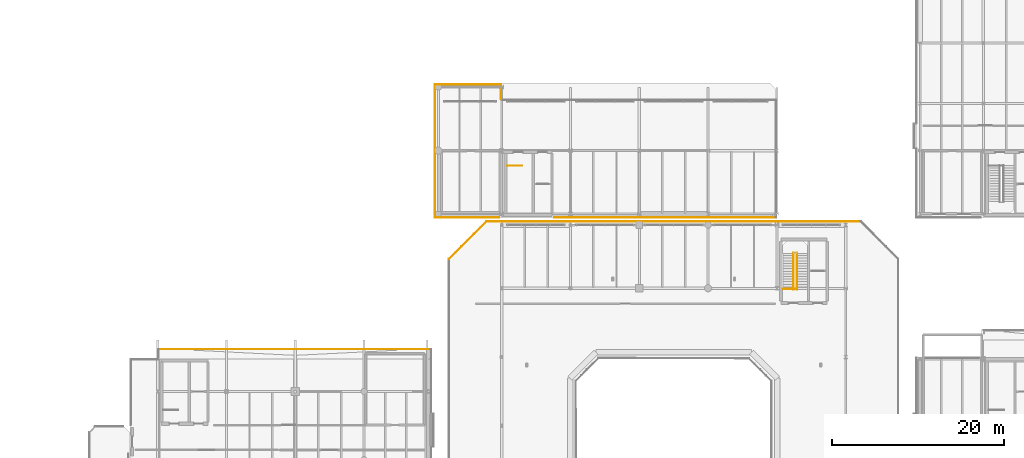
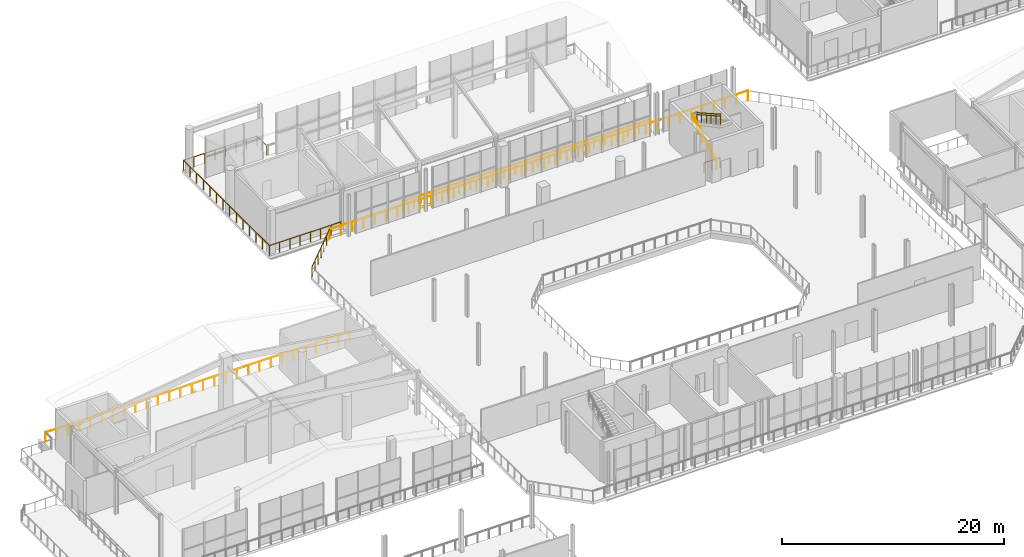
# One storey, part 65 of 70: 14 railings.
"""IFC4 building model written with IfcOpenShell, lengths in metres."""

from ifc_helpers import new_model, si_unit, direction, frame, origin, origin_2d, place, context, subcontext, project, spatial, circle, extrude, material, type_object, element, save


model = new_model("IFC4")

# Units and contexts
model_context = context("Model", 3, precision=1e-05, world=origin(), true_north=direction((0.0, 1.0)))
body_context = subcontext(model_context, "Body", "Model", "MODEL_VIEW")
ifc_project = project(units=[si_unit("LENGTHUNIT", "METRE"), si_unit("AREAUNIT", "SQUARE_METRE"), si_unit("VOLUMEUNIT", "CUBIC_METRE"), si_unit("PLANEANGLEUNIT", "RADIAN"), si_unit("MASSUNIT", "GRAM", prefix="KILO")], contexts=[model_context])

# Site, building, storey
site_placement = place(None, origin())
site = spatial("IfcSite", under=ifc_project, at=site_placement, CompositionType="ELEMENT")
building_placement = place(site_placement, origin())
building = spatial("IfcBuilding", under=site, at=building_placement, Name="Brisemont Oceanarium", CompositionType="ELEMENT")
storey_placement = place(building_placement, frame((0.0, 0.0, 10.199951171875)))
storey = spatial("IfcBuildingStorey", under=building, at=storey_placement, Name="L02", CompositionType="ELEMENT", Elevation=10.199951171875)

# Railings
ifc_material_1 = material(Name="Duplex Stainless Steel EN 1.4462", Category="steel")
railing_type_1 = type_object("IfcRailingType", Name="RLG-GUARD-1120", PredefinedType="GUARDRAIL", material=ifc_material_1)
railing_1_placement = place(storey_placement, frame((96.669921875, 71.909912109375, 0.0)))
element("IfcRailing", 1, at=railing_1_placement, inside=storey, type_object=railing_type_1, Name="ST-02 L02 landing edge guard", PredefinedType="GUARDRAIL", context=body_context, shape_type="SweptSolid", body=[
    extrude(circle(Radius=0.02392578125, at=origin_2d()), frame((0.0, 0.0, 1.09619140625), z_axis=(1.0, 0.0, 0.0), x_axis=(0.0, 1.0, 0.0)), (0.0, 0.0, 1.0), 1.68017578125),
    extrude(circle(Radius=0.02099609375, at=origin_2d()), origin(), (0.0, 0.0, 1.0), 1.072021484375),
    extrude(circle(Radius=0.02099609375, at=origin_2d()), frame((0.840087890625, 0.0, 0.0)), (0.0, 0.0, 1.0), 1.072021484375),
    extrude(circle(Radius=0.02099609375, at=origin_2d()), frame((1.68017578125, 0.0, 0.0)), (0.0, 0.0, 1.0), 1.072021484375),
])
railing_2_placement = place(storey_placement, frame((97.909912109375, 71.85009765625, 0.0)))
element("IfcRailing", 2, at=railing_2_placement, inside=storey, type_object=railing_type_1, Name="ST-02 L02 F1 well guard", PredefinedType="GUARDRAIL", context=body_context, shape_type="SweptSolid", body=[
    extrude(circle(Radius=0.02392578125, at=origin_2d()), frame((0.0, 0.0, 1.09619140625), z_axis=(0.0, 0.870740716755, 0.491742416499), x_axis=(-1.0, 0.0, 0.0)), (0.0, 0.0, 1.0), 4.880859375),
    extrude(circle(Radius=0.02099609375, at=origin_2d()), origin(), (0.0, 0.0, 1.0), 1.072021484375),
    extrude(circle(Radius=0.02099609375, at=origin_2d()), frame((0.0, 0.85009765625, 0.47998046875)), (0.0, 0.0, 1.0), 1.072021484375),
    extrude(circle(Radius=0.02099609375, at=origin_2d()), frame((0.0, 1.699951171875, 0.9599609375)), (0.0, 0.0, 1.0), 1.072021484375),
    extrude(circle(Radius=0.02099609375, at=origin_2d()), frame((0.0, 2.550048828125, 1.440185546875)), (0.0, 0.0, 1.0), 1.072021484375),
    extrude(circle(Radius=0.02099609375, at=origin_2d()), frame((0.0, 3.39990234375, 1.920166015625)), (0.0, 0.0, 1.0), 1.072021484375),
    extrude(circle(Radius=0.02099609375, at=origin_2d()), frame((0.0, 4.25, 2.400146484375)), (0.0, 0.0, 1.0), 1.072021484375),
])
railing_3_placement = place(storey_placement, frame((98.35009765625, 76.10009765625, 2.400146484375)))
element("IfcRailing", 3, at=railing_3_placement, inside=storey, type_object=railing_type_1, Name="ST-02 L02 F2 well guard", PredefinedType="GUARDRAIL", context=body_context, shape_type="SweptSolid", body=[
    extrude(circle(Radius=0.02392578125, at=origin_2d()), frame((0.0, 0.0, 1.09619140625), z_axis=(0.0, -0.870762133844, 0.491704490791), x_axis=(1.0, 0.0, 0.0)), (0.0, 0.0, 1.0), 4.880859375),
    extrude(circle(Radius=0.02099609375, at=origin_2d()), origin(), (0.0, 0.0, 1.0), 1.072021484375),
    extrude(circle(Radius=0.02099609375, at=origin_2d()), frame((0.0, -0.85009765625, 0.47998046875)), (0.0, 0.0, 1.0), 1.072021484375),
    extrude(circle(Radius=0.02099609375, at=origin_2d()), frame((0.0, -1.699951171875, 0.9599609375)), (0.0, 0.0, 1.0), 1.072021484375),
    extrude(circle(Radius=0.02099609375, at=origin_2d()), frame((0.0, -2.550048828125, 1.43994140625)), (0.0, 0.0, 1.0), 1.072021484375),
    extrude(circle(Radius=0.02099609375, at=origin_2d()), frame((0.0, -3.39990234375, 1.919921875)), (0.0, 0.0, 1.0), 1.072021484375),
    extrude(circle(Radius=0.02099609375, at=origin_2d()), frame((0.0, -4.25, 2.39990234375)), (0.0, 0.0, 1.0), 1.072021484375),
])
railing_4_placement = place(storey_placement, frame((64.669921875, 86.239990234375, 0.0)))
element("IfcRailing", 4, at=railing_4_placement, inside=storey, type_object=railing_type_1, Name="ST-08 L02 landing edge guard", PredefinedType="GUARDRAIL", context=body_context, shape_type="SweptSolid", body=[
    extrude(circle(Radius=0.02392578125, at=origin_2d()), frame((0.0, 0.0, 1.09619140625), z_axis=(1.0, 0.0, 0.0), x_axis=(0.0, 1.0, 0.0)), (0.0, 0.0, 1.0), 1.719970703125),
    extrude(circle(Radius=0.02099609375, at=origin_2d()), origin(), (0.0, 0.0, 1.0), 1.072021484375),
    extrude(circle(Radius=0.02099609375, at=origin_2d()), frame((0.85986328125, 0.0, 0.0)), (0.0, 0.0, 1.0), 1.072021484375),
    extrude(circle(Radius=0.02099609375, at=origin_2d()), frame((1.719970703125, 0.0, 0.0)), (0.0, 0.0, 1.0), 1.072021484375),
])
railing_5_placement = place(storey_placement, frame((57.889892578125, 75.41259765625, 0.0)))
element("IfcRailing", 5, at=railing_5_placement, inside=storey, type_object=railing_type_1, Name="L02 slab perimeter safety guard 137", PredefinedType="GUARDRAIL", context=body_context, shape_type="SweptSolid", body=[
    extrude(circle(Radius=0.02392578125, at=origin_2d()), frame((0.0, 0.0, 1.09619140625), z_axis=(0.707106781187, 0.707106781187, 0.0), x_axis=(-0.707106781187, 0.707106781187, 0.0)), (0.0, 0.0, 1.0), 6.148193359375),
    extrude(circle(Radius=0.02099609375, at=origin_2d()), origin(), (0.0, 0.0, 1.0), 1.072021484375),
    extrude(circle(Radius=0.02099609375, at=origin_2d()), frame((0.724609375, 0.724609375, 0.0)), (0.0, 0.0, 1.0), 1.072021484375),
    extrude(circle(Radius=0.02099609375, at=origin_2d()), frame((1.44921875, 1.44921875, 0.0)), (0.0, 0.0, 1.0), 1.072021484375),
    extrude(circle(Radius=0.02099609375, at=origin_2d()), frame((2.173828125, 2.173828125, 0.0)), (0.0, 0.0, 1.0), 1.072021484375),
    extrude(circle(Radius=0.02099609375, at=origin_2d()), frame((2.898193359375, 2.898193359375, 0.0)), (0.0, 0.0, 1.0), 1.072021484375),
    extrude(circle(Radius=0.02099609375, at=origin_2d()), frame((3.622802734375, 3.622802734375, 0.0)), (0.0, 0.0, 1.0), 1.072021484375),
    extrude(circle(Radius=0.02099609375, at=origin_2d()), frame((4.347412109375, 4.347412109375, 0.0)), (0.0, 0.0, 1.0), 1.072021484375),
])
railing_6_placement = place(storey_placement, frame((62.2373046875, 79.760009765625, 0.0)))
element("IfcRailing", 6, at=railing_6_placement, inside=storey, type_object=railing_type_1, Name="L02 slab perimeter safety guard 138", PredefinedType="GUARDRAIL", context=body_context, shape_type="SweptSolid", body=[
    extrude(circle(Radius=0.02392578125, at=origin_2d()), frame((0.0, 0.0, 1.09619140625), z_axis=(1.0, 0.0, 0.0), x_axis=(0.0, 1.0, 0.0)), (0.0, 0.0, 1.0), 43.525390625),
    extrude(circle(Radius=0.02099609375, at=origin_2d()), origin(), (0.0, 0.0, 1.0), 1.072021484375),
    extrude(circle(Radius=0.02099609375, at=origin_2d()), frame((1.17626953125, 0.0, 0.0)), (0.0, 0.0, 1.0), 1.072021484375),
    extrude(circle(Radius=0.02099609375, at=origin_2d()), frame((2.352783203125, 0.0, 0.0)), (0.0, 0.0, 1.0), 1.072021484375),
    extrude(circle(Radius=0.02099609375, at=origin_2d()), frame((3.529052734375, 0.0, 0.0)), (0.0, 0.0, 1.0), 1.072021484375),
    extrude(circle(Radius=0.02099609375, at=origin_2d()), frame((4.70556640625, 0.0, 0.0)), (0.0, 0.0, 1.0), 1.072021484375),
    extrude(circle(Radius=0.02099609375, at=origin_2d()), frame((5.8818359375, 0.0, 0.0)), (0.0, 0.0, 1.0), 1.072021484375),
    extrude(circle(Radius=0.02099609375, at=origin_2d()), frame((7.05810546875, 0.0, 0.0)), (0.0, 0.0, 1.0), 1.072021484375),
    extrude(circle(Radius=0.02099609375, at=origin_2d()), frame((8.234619140625, 0.0, 0.0)), (0.0, 0.0, 1.0), 1.072021484375),
    extrude(circle(Radius=0.02099609375, at=origin_2d()), frame((9.410888671875, 0.0, 0.0)), (0.0, 0.0, 1.0), 1.072021484375),
    extrude(circle(Radius=0.02099609375, at=origin_2d()), frame((10.587158203125, 0.0, 0.0)), (0.0, 0.0, 1.0), 1.072021484375),
    extrude(circle(Radius=0.02099609375, at=origin_2d()), frame((11.763671875, 0.0, 0.0)), (0.0, 0.0, 1.0), 1.072021484375),
    extrude(circle(Radius=0.02099609375, at=origin_2d()), frame((12.93994140625, 0.0, 0.0)), (0.0, 0.0, 1.0), 1.072021484375),
    extrude(circle(Radius=0.02099609375, at=origin_2d()), frame((14.116455078125, 0.0, 0.0)), (0.0, 0.0, 1.0), 1.072021484375),
    extrude(circle(Radius=0.02099609375, at=origin_2d()), frame((15.292724609375, 0.0, 0.0)), (0.0, 0.0, 1.0), 1.072021484375),
    extrude(circle(Radius=0.02099609375, at=origin_2d()), frame((16.468994140625, 0.0, 0.0)), (0.0, 0.0, 1.0), 1.072021484375),
    extrude(circle(Radius=0.02099609375, at=origin_2d()), frame((17.6455078125, 0.0, 0.0)), (0.0, 0.0, 1.0), 1.072021484375),
    extrude(circle(Radius=0.02099609375, at=origin_2d()), frame((18.82177734375, 0.0, 0.0)), (0.0, 0.0, 1.0), 1.072021484375),
    extrude(circle(Radius=0.02099609375, at=origin_2d()), frame((19.998046875, 0.0, 0.0)), (0.0, 0.0, 1.0), 1.072021484375),
    extrude(circle(Radius=0.02099609375, at=origin_2d()), frame((21.174560546875, 0.0, 0.0)), (0.0, 0.0, 1.0), 1.072021484375),
    extrude(circle(Radius=0.02099609375, at=origin_2d()), frame((22.350830078125, 0.0, 0.0)), (0.0, 0.0, 1.0), 1.072021484375),
    extrude(circle(Radius=0.02099609375, at=origin_2d()), frame((23.52734375, 0.0, 0.0)), (0.0, 0.0, 1.0), 1.072021484375),
    extrude(circle(Radius=0.02099609375, at=origin_2d()), frame((24.70361328125, 0.0, 0.0)), (0.0, 0.0, 1.0), 1.072021484375),
    extrude(circle(Radius=0.02099609375, at=origin_2d()), frame((25.8798828125, 0.0, 0.0)), (0.0, 0.0, 1.0), 1.072021484375),
    extrude(circle(Radius=0.02099609375, at=origin_2d()), frame((27.056396484375, 0.0, 0.0)), (0.0, 0.0, 1.0), 1.072021484375),
    extrude(circle(Radius=0.02099609375, at=origin_2d()), frame((28.232666015625, 0.0, 0.0)), (0.0, 0.0, 1.0), 1.072021484375),
    extrude(circle(Radius=0.02099609375, at=origin_2d()), frame((29.408935546875, 0.0, 0.0)), (0.0, 0.0, 1.0), 1.072021484375),
    extrude(circle(Radius=0.02099609375, at=origin_2d()), frame((30.58544921875, 0.0, 0.0)), (0.0, 0.0, 1.0), 1.072021484375),
    extrude(circle(Radius=0.02099609375, at=origin_2d()), frame((31.76171875, 0.0, 0.0)), (0.0, 0.0, 1.0), 1.072021484375),
    extrude(circle(Radius=0.02099609375, at=origin_2d()), frame((32.938232421875, 0.0, 0.0)), (0.0, 0.0, 1.0), 1.072021484375),
    extrude(circle(Radius=0.02099609375, at=origin_2d()), frame((34.114501953125, 0.0, 0.0)), (0.0, 0.0, 1.0), 1.072021484375),
    extrude(circle(Radius=0.02099609375, at=origin_2d()), frame((35.290771484375, 0.0, 0.0)), (0.0, 0.0, 1.0), 1.072021484375),
    extrude(circle(Radius=0.02099609375, at=origin_2d()), frame((36.46728515625, 0.0, 0.0)), (0.0, 0.0, 1.0), 1.072021484375),
    extrude(circle(Radius=0.02099609375, at=origin_2d()), frame((37.6435546875, 0.0, 0.0)), (0.0, 0.0, 1.0), 1.072021484375),
    extrude(circle(Radius=0.02099609375, at=origin_2d()), frame((38.81982421875, 0.0, 0.0)), (0.0, 0.0, 1.0), 1.072021484375),
    extrude(circle(Radius=0.02099609375, at=origin_2d()), frame((39.996337890625, 0.0, 0.0)), (0.0, 0.0, 1.0), 1.072021484375),
    extrude(circle(Radius=0.02099609375, at=origin_2d()), frame((41.172607421875, 0.0, 0.0)), (0.0, 0.0, 1.0), 1.072021484375),
    extrude(circle(Radius=0.02099609375, at=origin_2d()), frame((42.34912109375, 0.0, 0.0)), (0.0, 0.0, 1.0), 1.072021484375),
    extrude(circle(Radius=0.02099609375, at=origin_2d()), frame((43.525390625, 0.0, 0.0)), (0.0, 0.0, 1.0), 1.072021484375),
])
railing_7_placement = place(storey_placement, frame((56.239990234375, 80.239990234375, 0.0)))
element("IfcRailing", 7, at=railing_7_placement, inside=storey, type_object=railing_type_1, Name="L02 slab perimeter safety guard 153", PredefinedType="GUARDRAIL", context=body_context, shape_type="SweptSolid", body=[
    extrude(circle(Radius=0.02392578125, at=origin_2d()), frame((0.0, 0.0, 1.09619140625), z_axis=(0.0, 1.0, 0.0), x_axis=(-1.0, 0.0, 0.0)), (0.0, 0.0, 1.0), 15.469482421875),
    extrude(circle(Radius=0.02099609375, at=origin_2d()), origin(), (0.0, 0.0, 1.0), 1.072021484375),
    extrude(circle(Radius=0.02099609375, at=origin_2d()), frame((0.0, 1.18994140625, 0.0)), (0.0, 0.0, 1.0), 1.072021484375),
    extrude(circle(Radius=0.02099609375, at=origin_2d()), frame((0.0, 2.3798828125, 0.0)), (0.0, 0.0, 1.0), 1.072021484375),
    extrude(circle(Radius=0.02099609375, at=origin_2d()), frame((0.0, 3.56982421875, 0.0)), (0.0, 0.0, 1.0), 1.072021484375),
    extrude(circle(Radius=0.02099609375, at=origin_2d()), frame((0.0, 4.759765625, 0.0)), (0.0, 0.0, 1.0), 1.072021484375),
    extrude(circle(Radius=0.02099609375, at=origin_2d()), frame((0.0, 5.94970703125, 0.0)), (0.0, 0.0, 1.0), 1.072021484375),
    extrude(circle(Radius=0.02099609375, at=origin_2d()), frame((0.0, 7.1396484375, 0.0)), (0.0, 0.0, 1.0), 1.072021484375),
    extrude(circle(Radius=0.02099609375, at=origin_2d()), frame((0.0, 8.329833984375, 0.0)), (0.0, 0.0, 1.0), 1.072021484375),
    extrude(circle(Radius=0.02099609375, at=origin_2d()), frame((0.0, 9.519775390625, 0.0)), (0.0, 0.0, 1.0), 1.072021484375),
    extrude(circle(Radius=0.02099609375, at=origin_2d()), frame((0.0, 10.709716796875, 0.0)), (0.0, 0.0, 1.0), 1.072021484375),
    extrude(circle(Radius=0.02099609375, at=origin_2d()), frame((0.0, 11.899658203125, 0.0)), (0.0, 0.0, 1.0), 1.072021484375),
    extrude(circle(Radius=0.02099609375, at=origin_2d()), frame((0.0, 13.089599609375, 0.0)), (0.0, 0.0, 1.0), 1.072021484375),
    extrude(circle(Radius=0.02099609375, at=origin_2d()), frame((0.0, 14.279541015625, 0.0)), (0.0, 0.0, 1.0), 1.072021484375),
    extrude(circle(Radius=0.02099609375, at=origin_2d()), frame((0.0, 15.469482421875, 0.0)), (0.0, 0.0, 1.0), 1.072021484375),
])
railing_8_placement = place(storey_placement, frame((56.239990234375, 95.70947265625, 0.0)))
element("IfcRailing", 8, at=railing_8_placement, inside=storey, type_object=railing_type_1, Name="L02 slab perimeter safety guard 154", PredefinedType="GUARDRAIL", context=body_context, shape_type="SweptSolid", body=[
    extrude(circle(Radius=0.02392578125, at=origin_2d()), frame((0.0, 0.0, 1.09619140625), z_axis=(0.999999997973, 6.3665881e-05, 0.0), x_axis=(-6.3665881e-05, 0.999999997973, 0.0)), (0.0, 0.0, 1.0), 7.66943359375),
    extrude(circle(Radius=0.02099609375, at=origin_2d()), origin(), (0.0, 0.0, 1.0), 1.072021484375),
    extrude(circle(Radius=0.02099609375, at=origin_2d()), frame((1.095703125, 0.0, 0.0)), (0.0, 0.0, 1.0), 1.072021484375),
    extrude(circle(Radius=0.02099609375, at=origin_2d()), frame((2.191162109375, 0.000244140625, 0.0)), (0.0, 0.0, 1.0), 1.072021484375),
    extrude(circle(Radius=0.02099609375, at=origin_2d()), frame((3.286865234375, 0.000244140625, 0.0)), (0.0, 0.0, 1.0), 1.072021484375),
    extrude(circle(Radius=0.02099609375, at=origin_2d()), frame((4.382568359375, 0.000244140625, 0.0)), (0.0, 0.0, 1.0), 1.072021484375),
    extrude(circle(Radius=0.02099609375, at=origin_2d()), frame((5.478271484375, 0.000244140625, 0.0)), (0.0, 0.0, 1.0), 1.072021484375),
    extrude(circle(Radius=0.02099609375, at=origin_2d()), frame((6.57373046875, 0.00048828125, 0.0)), (0.0, 0.0, 1.0), 1.072021484375),
    extrude(circle(Radius=0.02099609375, at=origin_2d()), frame((7.66943359375, 0.00048828125, 0.0)), (0.0, 0.0, 1.0), 1.072021484375),
])
railing_9_placement = place(storey_placement, frame((63.909423828125, 95.7099609375, 0.0)))
element("IfcRailing", 9, at=railing_9_placement, inside=storey, type_object=railing_type_1, Name="L02 slab perimeter safety guard 155", PredefinedType="GUARDRAIL", context=body_context, shape_type="SweptSolid", body=[
    extrude(circle(Radius=0.02392578125, at=origin_2d()), frame((0.0, 0.0, 1.09619140625), z_axis=(0.000431778889, -0.999999906783, 0.0), x_axis=(0.999999906783, 0.000431778889, 0.0)), (0.0, 0.0, 1.0), 1.6962890625),
    extrude(circle(Radius=0.02099609375, at=origin_2d()), origin(), (0.0, 0.0, 1.0), 1.072021484375),
    extrude(circle(Radius=0.02099609375, at=origin_2d()), frame((0.00048828125, -0.84814453125, 0.0)), (0.0, 0.0, 1.0), 1.072021484375),
    extrude(circle(Radius=0.02099609375, at=origin_2d()), frame((0.000732421875, -1.6962890625, 0.0)), (0.0, 0.0, 1.0), 1.072021484375),
])
railing_10_placement = place(storey_placement, frame((95.909912109375, 80.240478515625, 0.0)))
element("IfcRailing", 10, at=railing_10_placement, inside=storey, type_object=railing_type_1, Name="L02 slab perimeter safety guard 158", PredefinedType="GUARDRAIL", context=body_context, shape_type="SweptSolid", body=[
    extrude(circle(Radius=0.02392578125, at=origin_2d()), frame((0.0, 0.0, 1.09619140625), z_axis=(-0.999999999955, -9.477505e-06, 0.0), x_axis=(9.477505e-06, -0.999999999955, 0.0)), (0.0, 0.0, 1.0), 25.760009765625),
    extrude(circle(Radius=0.02099609375, at=origin_2d()), origin(), (0.0, 0.0, 1.0), 1.072021484375),
    extrude(circle(Radius=0.02099609375, at=origin_2d()), frame((-1.1708984375, 0.0, 0.0)), (0.0, 0.0, 1.0), 1.072021484375),
    extrude(circle(Radius=0.02099609375, at=origin_2d()), frame((-2.341796875, 0.0, 0.0)), (0.0, 0.0, 1.0), 1.072021484375),
    extrude(circle(Radius=0.02099609375, at=origin_2d()), frame((-3.5126953125, 0.0, 0.0)), (0.0, 0.0, 1.0), 1.072021484375),
    extrude(circle(Radius=0.02099609375, at=origin_2d()), frame((-4.68359375, 0.0, 0.0)), (0.0, 0.0, 1.0), 1.072021484375),
    extrude(circle(Radius=0.02099609375, at=origin_2d()), frame((-5.8544921875, 0.0, 0.0)), (0.0, 0.0, 1.0), 1.072021484375),
    extrude(circle(Radius=0.02099609375, at=origin_2d()), frame((-7.025390625, 0.0, 0.0)), (0.0, 0.0, 1.0), 1.072021484375),
    extrude(circle(Radius=0.02099609375, at=origin_2d()), frame((-8.1962890625, 0.0, 0.0)), (0.0, 0.0, 1.0), 1.072021484375),
    extrude(circle(Radius=0.02099609375, at=origin_2d()), frame((-9.3671875, 0.0, 0.0)), (0.0, 0.0, 1.0), 1.072021484375),
    extrude(circle(Radius=0.02099609375, at=origin_2d()), frame((-10.5380859375, 0.0, 0.0)), (0.0, 0.0, 1.0), 1.072021484375),
    extrude(circle(Radius=0.02099609375, at=origin_2d()), frame((-11.708984375, 0.0, 0.0)), (0.0, 0.0, 1.0), 1.072021484375),
    extrude(circle(Radius=0.02099609375, at=origin_2d()), frame((-12.8798828125, 0.0, 0.0)), (0.0, 0.0, 1.0), 1.072021484375),
    extrude(circle(Radius=0.02099609375, at=origin_2d()), frame((-14.051025390625, -0.000244140625, 0.0)), (0.0, 0.0, 1.0), 1.072021484375),
    extrude(circle(Radius=0.02099609375, at=origin_2d()), frame((-15.221923828125, -0.000244140625, 0.0)), (0.0, 0.0, 1.0), 1.072021484375),
    extrude(circle(Radius=0.02099609375, at=origin_2d()), frame((-16.392822265625, -0.000244140625, 0.0)), (0.0, 0.0, 1.0), 1.072021484375),
    extrude(circle(Radius=0.02099609375, at=origin_2d()), frame((-17.563720703125, -0.000244140625, 0.0)), (0.0, 0.0, 1.0), 1.072021484375),
    extrude(circle(Radius=0.02099609375, at=origin_2d()), frame((-18.734619140625, -0.000244140625, 0.0)), (0.0, 0.0, 1.0), 1.072021484375),
    extrude(circle(Radius=0.02099609375, at=origin_2d()), frame((-19.905517578125, -0.000244140625, 0.0)), (0.0, 0.0, 1.0), 1.072021484375),
    extrude(circle(Radius=0.02099609375, at=origin_2d()), frame((-21.076416015625, -0.000244140625, 0.0)), (0.0, 0.0, 1.0), 1.072021484375),
    extrude(circle(Radius=0.02099609375, at=origin_2d()), frame((-22.247314453125, -0.000244140625, 0.0)), (0.0, 0.0, 1.0), 1.072021484375),
    extrude(circle(Radius=0.02099609375, at=origin_2d()), frame((-23.418212890625, -0.000244140625, 0.0)), (0.0, 0.0, 1.0), 1.072021484375),
    extrude(circle(Radius=0.02099609375, at=origin_2d()), frame((-24.589111328125, -0.000244140625, 0.0)), (0.0, 0.0, 1.0), 1.072021484375),
    extrude(circle(Radius=0.02099609375, at=origin_2d()), frame((-25.760009765625, -0.000244140625, 0.0)), (0.0, 0.0, 1.0), 1.072021484375),
])
railing_11_placement = place(storey_placement, frame((63.703125, 80.239990234375, 0.0)))
element("IfcRailing", 11, at=railing_11_placement, inside=storey, type_object=railing_type_1, Name="L02 slab perimeter safety guard 159", PredefinedType="GUARDRAIL", context=body_context, shape_type="SweptSolid", body=[
    extrude(circle(Radius=0.02392578125, at=origin_2d()), frame((0.0, 0.0, 1.09619140625), z_axis=(-1.0, 0.0, 0.0), x_axis=(0.0, -1.0, 0.0)), (0.0, 0.0, 1.0), 7.463134765625),
    extrude(circle(Radius=0.02099609375, at=origin_2d()), origin(), (0.0, 0.0, 1.0), 1.072021484375),
    extrude(circle(Radius=0.02099609375, at=origin_2d()), frame((-1.066162109375, 0.0, 0.0)), (0.0, 0.0, 1.0), 1.072021484375),
    extrude(circle(Radius=0.02099609375, at=origin_2d()), frame((-2.13232421875, 0.0, 0.0)), (0.0, 0.0, 1.0), 1.072021484375),
    extrude(circle(Radius=0.02099609375, at=origin_2d()), frame((-3.198486328125, 0.0, 0.0)), (0.0, 0.0, 1.0), 1.072021484375),
    extrude(circle(Radius=0.02099609375, at=origin_2d()), frame((-4.2646484375, 0.0, 0.0)), (0.0, 0.0, 1.0), 1.072021484375),
    extrude(circle(Radius=0.02099609375, at=origin_2d()), frame((-5.330810546875, 0.0, 0.0)), (0.0, 0.0, 1.0), 1.072021484375),
    extrude(circle(Radius=0.02099609375, at=origin_2d()), frame((-6.39697265625, 0.0, 0.0)), (0.0, 0.0, 1.0), 1.072021484375),
    extrude(circle(Radius=0.02099609375, at=origin_2d()), frame((-7.463134765625, 0.0, 0.0)), (0.0, 0.0, 1.0), 1.072021484375),
])
railing_12_placement = place(storey_placement, frame((24.090087890625, 64.909423828125, 0.0)))
element("IfcRailing", 12, at=railing_12_placement, inside=storey, type_object=railing_type_1, Name="L02 slab perimeter safety guard 162", PredefinedType="GUARDRAIL", context=body_context, shape_type="SweptSolid", body=[
    extrude(circle(Radius=0.02392578125, at=origin_2d()), frame((0.0, 0.0, 1.09619140625), z_axis=(0.999999999881, 1.5418061e-05, 0.0), x_axis=(-1.5418061e-05, 0.999999999881, 0.0)), (0.0, 0.0, 1.0), 31.66943359375),
    extrude(circle(Radius=0.02099609375, at=origin_2d()), origin(), (0.0, 0.0, 1.0), 1.072021484375),
    extrude(circle(Radius=0.02099609375, at=origin_2d()), frame((1.1728515625, 0.0, 0.0)), (0.0, 0.0, 1.0), 1.072021484375),
    extrude(circle(Radius=0.02099609375, at=origin_2d()), frame((2.345947265625, 0.0, 0.0)), (0.0, 0.0, 1.0), 1.072021484375),
    extrude(circle(Radius=0.02099609375, at=origin_2d()), frame((3.518798828125, 0.0, 0.0)), (0.0, 0.0, 1.0), 1.072021484375),
    extrude(circle(Radius=0.02099609375, at=origin_2d()), frame((4.691650390625, 0.0, 0.0)), (0.0, 0.0, 1.0), 1.072021484375),
    extrude(circle(Radius=0.02099609375, at=origin_2d()), frame((5.86474609375, 0.0, 0.0)), (0.0, 0.0, 1.0), 1.072021484375),
    extrude(circle(Radius=0.02099609375, at=origin_2d()), frame((7.03759765625, 0.0, 0.0)), (0.0, 0.0, 1.0), 1.072021484375),
    extrude(circle(Radius=0.02099609375, at=origin_2d()), frame((8.210693359375, 0.000244140625, 0.0)), (0.0, 0.0, 1.0), 1.072021484375),
    extrude(circle(Radius=0.02099609375, at=origin_2d()), frame((9.383544921875, 0.000244140625, 0.0)), (0.0, 0.0, 1.0), 1.072021484375),
    extrude(circle(Radius=0.02099609375, at=origin_2d()), frame((10.556396484375, 0.000244140625, 0.0)), (0.0, 0.0, 1.0), 1.072021484375),
    extrude(circle(Radius=0.02099609375, at=origin_2d()), frame((11.7294921875, 0.000244140625, 0.0)), (0.0, 0.0, 1.0), 1.072021484375),
    extrude(circle(Radius=0.02099609375, at=origin_2d()), frame((12.90234375, 0.000244140625, 0.0)), (0.0, 0.0, 1.0), 1.072021484375),
    extrude(circle(Radius=0.02099609375, at=origin_2d()), frame((14.0751953125, 0.000244140625, 0.0)), (0.0, 0.0, 1.0), 1.072021484375),
    extrude(circle(Radius=0.02099609375, at=origin_2d()), frame((15.248291015625, 0.000244140625, 0.0)), (0.0, 0.0, 1.0), 1.072021484375),
    extrude(circle(Radius=0.02099609375, at=origin_2d()), frame((16.421142578125, 0.000244140625, 0.0)), (0.0, 0.0, 1.0), 1.072021484375),
    extrude(circle(Radius=0.02099609375, at=origin_2d()), frame((17.59423828125, 0.000244140625, 0.0)), (0.0, 0.0, 1.0), 1.072021484375),
    extrude(circle(Radius=0.02099609375, at=origin_2d()), frame((18.76708984375, 0.000244140625, 0.0)), (0.0, 0.0, 1.0), 1.072021484375),
    extrude(circle(Radius=0.02099609375, at=origin_2d()), frame((19.93994140625, 0.000244140625, 0.0)), (0.0, 0.0, 1.0), 1.072021484375),
    extrude(circle(Radius=0.02099609375, at=origin_2d()), frame((21.113037109375, 0.000244140625, 0.0)), (0.0, 0.0, 1.0), 1.072021484375),
    extrude(circle(Radius=0.02099609375, at=origin_2d()), frame((22.285888671875, 0.000244140625, 0.0)), (0.0, 0.0, 1.0), 1.072021484375),
    extrude(circle(Radius=0.02099609375, at=origin_2d()), frame((23.458740234375, 0.000244140625, 0.0)), (0.0, 0.0, 1.0), 1.072021484375),
    extrude(circle(Radius=0.02099609375, at=origin_2d()), frame((24.6318359375, 0.00048828125, 0.0)), (0.0, 0.0, 1.0), 1.072021484375),
    extrude(circle(Radius=0.02099609375, at=origin_2d()), frame((25.8046875, 0.00048828125, 0.0)), (0.0, 0.0, 1.0), 1.072021484375),
    extrude(circle(Radius=0.02099609375, at=origin_2d()), frame((26.977783203125, 0.00048828125, 0.0)), (0.0, 0.0, 1.0), 1.072021484375),
    extrude(circle(Radius=0.02099609375, at=origin_2d()), frame((28.150634765625, 0.00048828125, 0.0)), (0.0, 0.0, 1.0), 1.072021484375),
    extrude(circle(Radius=0.02099609375, at=origin_2d()), frame((29.323486328125, 0.00048828125, 0.0)), (0.0, 0.0, 1.0), 1.072021484375),
    extrude(circle(Radius=0.02099609375, at=origin_2d()), frame((30.49658203125, 0.00048828125, 0.0)), (0.0, 0.0, 1.0), 1.072021484375),
    extrude(circle(Radius=0.02099609375, at=origin_2d()), frame((31.66943359375, 0.00048828125, 0.0)), (0.0, 0.0, 1.0), 1.072021484375),
])
ifc_material_2 = material(Name="Duplex Stainless Steel EN 1.4462", Category="steel")
railing_type_2 = type_object("IfcRailingType", Name="RLG-HAND-900", PredefinedType="HANDRAIL", material=ifc_material_2)
railing_13_placement = place(storey_placement, frame((97.909912109375, 71.85009765625, 0.0)))
element("IfcRailing", 13, at=railing_13_placement, inside=storey, type_object=railing_type_2, Name="ST-02 L02 F1 handrail", PredefinedType="HANDRAIL", context=body_context, shape_type="SweptSolid", body=[
    extrude(circle(Radius=0.02392578125, at=origin_2d()), frame((0.0, 0.0, 0.8759765625), z_axis=(0.0, 0.870740716755, 0.491742416499), x_axis=(-1.0, 0.0, 0.0)), (0.0, 0.0, 1.0), 4.880859375),
    extrude(circle(Radius=0.02099609375, at=origin_2d()), origin(), (0.0, 0.0, 1.0), 0.851806640625),
    extrude(circle(Radius=0.02099609375, at=origin_2d()), frame((0.0, 0.85009765625, 0.47998046875)), (0.0, 0.0, 1.0), 0.851806640625),
    extrude(circle(Radius=0.02099609375, at=origin_2d()), frame((0.0, 1.699951171875, 0.9599609375)), (0.0, 0.0, 1.0), 0.851806640625),
    extrude(circle(Radius=0.02099609375, at=origin_2d()), frame((0.0, 2.550048828125, 1.440185546875)), (0.0, 0.0, 1.0), 0.851806640625),
    extrude(circle(Radius=0.02099609375, at=origin_2d()), frame((0.0, 3.39990234375, 1.920166015625)), (0.0, 0.0, 1.0), 0.851806640625),
    extrude(circle(Radius=0.02099609375, at=origin_2d()), frame((0.0, 4.25, 2.400146484375)), (0.0, 0.0, 1.0), 0.851806640625),
])
railing_14_placement = place(storey_placement, frame((98.35009765625, 76.10009765625, 2.400146484375)))
element("IfcRailing", 14, at=railing_14_placement, inside=storey, type_object=railing_type_2, Name="ST-02 L02 F2 handrail", PredefinedType="HANDRAIL", context=body_context, shape_type="SweptSolid", body=[
    extrude(circle(Radius=0.02392578125, at=origin_2d()), frame((0.0, 0.0, 0.8759765625), z_axis=(0.0, -0.870762133844, 0.491704490791), x_axis=(1.0, 0.0, 0.0)), (0.0, 0.0, 1.0), 4.880859375),
    extrude(circle(Radius=0.02099609375, at=origin_2d()), origin(), (0.0, 0.0, 1.0), 0.851806640625),
    extrude(circle(Radius=0.02099609375, at=origin_2d()), frame((0.0, -0.85009765625, 0.47998046875)), (0.0, 0.0, 1.0), 0.851806640625),
    extrude(circle(Radius=0.02099609375, at=origin_2d()), frame((0.0, -1.699951171875, 0.9599609375)), (0.0, 0.0, 1.0), 0.851806640625),
    extrude(circle(Radius=0.02099609375, at=origin_2d()), frame((0.0, -2.550048828125, 1.43994140625)), (0.0, 0.0, 1.0), 0.851806640625),
    extrude(circle(Radius=0.02099609375, at=origin_2d()), frame((0.0, -3.39990234375, 1.919921875)), (0.0, 0.0, 1.0), 0.851806640625),
    extrude(circle(Radius=0.02099609375, at=origin_2d()), frame((0.0, -4.25, 2.39990234375)), (0.0, 0.0, 1.0), 0.851806640625),
])

save(model, "model.ifc")
